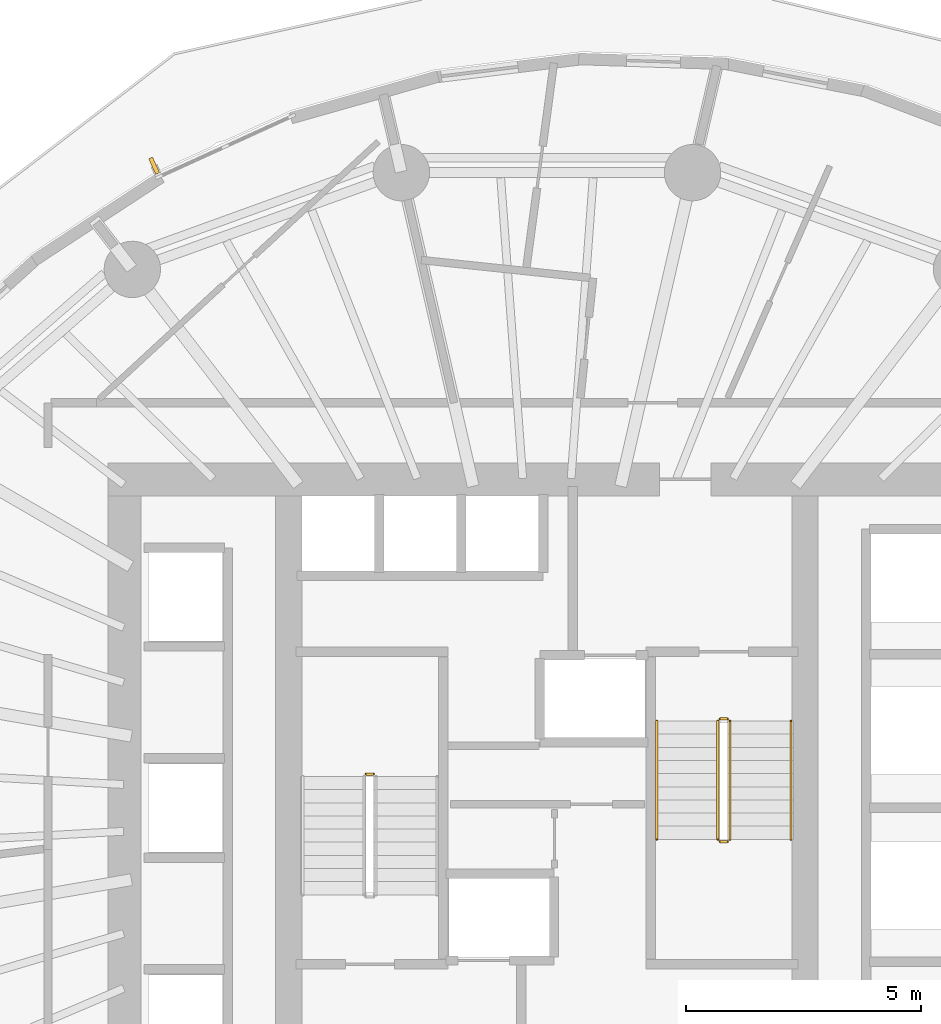
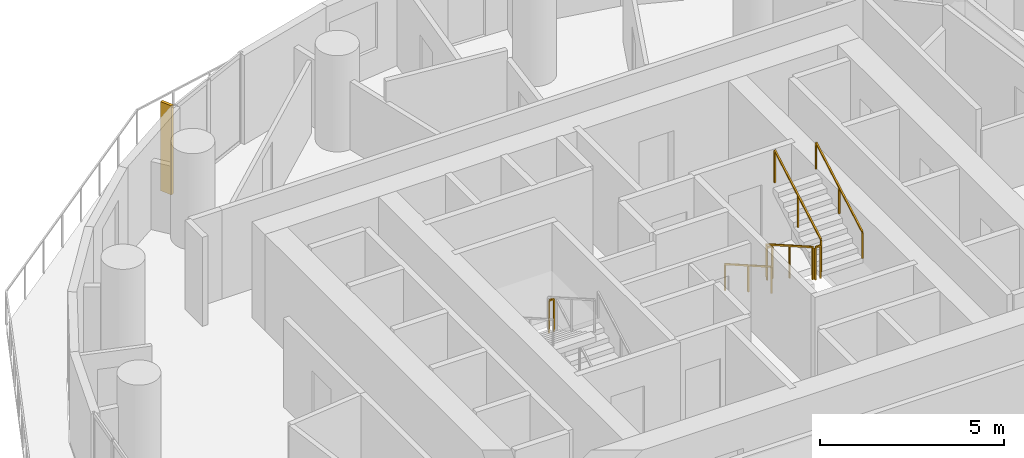
# One storey, part 13 of 14: 7 railings, 1 shading device.
"""IFC4 building model written with IfcOpenShell, lengths in metres."""

from ifc_helpers import new_model, si_unit, direction, frame, origin, origin_2d, place, context, subcontext, project, spatial, rectangle, extrude, material, layer, layer_set, type_object, element, save


model = new_model("IFC4")

# Units and contexts
model_context = context("Model", 3, precision=1e-05, world=origin(), true_north=direction((0.0, 1.0)))
body_context = subcontext(model_context, "Body", "Model", "MODEL_VIEW")
ifc_project = project(units=[si_unit("LENGTHUNIT", "METRE"), si_unit("AREAUNIT", "SQUARE_METRE"), si_unit("VOLUMEUNIT", "CUBIC_METRE"), si_unit("PLANEANGLEUNIT", "RADIAN"), si_unit("MASSUNIT", "GRAM", prefix="KILO")], contexts=[model_context])

# Site, building, storey
site_placement = place(None, origin())
site = spatial("IfcSite", under=ifc_project, at=site_placement, CompositionType="ELEMENT")
building_placement = place(site_placement, origin())
building = spatial("IfcBuilding", under=site, at=building_placement, Name="Veldorim Arch Residences", CompositionType="ELEMENT")
storey_placement = place(building_placement, frame((0.0, 0.0, 83.679931640625)))
storey = spatial("IfcBuildingStorey", under=building, at=storey_placement, Name="L24", CompositionType="ELEMENT", Elevation=83.679931640625)

# Railings
ifc_material_1 = material(Name="Steel S355", Category="steel")
railing_type_1 = type_object("IfcRailingType", Name="Galvanised Steel Stair Safety Guardrail 1100", PredefinedType="GUARDRAIL", material=ifc_material_1)
railing_1_placement = place(storey_placement, frame((28.31005859375, 24.719970703125, 1.60009765625)))
element("IfcRailing", 1, at=railing_1_placement, inside=storey, type_object=railing_type_1, Name="L24 ST-1 stair guard 2", PredefinedType="GUARDRAIL", context=body_context, shape_type="SweptSolid", body=[
    extrude(rectangle(XDim=0.048095703125, YDim=0.048095703125, at=origin_2d()), frame((0.0, 0.0, 1.076171875), z_axis=(-1.0, 0.0, 0.0), x_axis=(0.0, -1.0, 0.0)), (0.0, 0.0, 1.0), 0.16015625),
    extrude(rectangle(XDim=0.0419921875, YDim=0.0419921875, at=origin_2d()), origin(), (0.0, 0.0, 1.0), 1.052001953125),
    extrude(rectangle(XDim=0.0419921875, YDim=0.0419921875, at=origin_2d()), frame((-0.16015625, 0.0, 0.0)), (0.0, 0.0, 1.0), 1.052001953125),
])
railing_2_placement = place(storey_placement, frame((35.639892578125, 25.85009765625, 0.16015625)))
element("IfcRailing", 2, at=railing_2_placement, inside=storey, type_object=railing_type_1, Name="L24 ST-2 stair guard 1", PredefinedType="GUARDRAIL", context=body_context, shape_type="SweptSolid", body=[
    extrude(rectangle(XDim=0.048095703125, YDim=0.048095703125, at=origin_2d()), frame((0.0, 0.0, 1.076171875), z_axis=(0.0, -0.868253494771, 0.496120820787), x_axis=(1.0, 0.0, 0.0)), (0.0, 0.0, 1.0), 2.90234375),
    extrude(rectangle(XDim=0.0419921875, YDim=0.0419921875, at=origin_2d()), origin(), (0.0, 0.0, 1.0), 1.052001953125),
    extrude(rectangle(XDim=0.0419921875, YDim=0.0419921875, at=origin_2d()), frame((0.0, -1.260009765625, 0.719970703125)), (0.0, 0.0, 1.0), 1.052001953125),
    extrude(rectangle(XDim=0.0419921875, YDim=0.0419921875, at=origin_2d()), frame((0.0, -2.52001953125, 1.43994140625)), (0.0, 0.0, 1.0), 1.052001953125),
])
railing_3_placement = place(storey_placement, frame((35.68994140625, 23.280029296875, 1.60009765625)))
element("IfcRailing", 3, at=railing_3_placement, inside=storey, type_object=railing_type_1, Name="L24 ST-2 stair guard 2", PredefinedType="GUARDRAIL", context=body_context, shape_type="SweptSolid", body=[
    extrude(rectangle(XDim=0.048095703125, YDim=0.048095703125, at=origin_2d()), frame((0.0, 0.0, 1.076171875), z_axis=(1.0, 0.0, 0.0), x_axis=(0.0, 1.0, 0.0)), (0.0, 0.0, 1.0), 0.16015625),
    extrude(rectangle(XDim=0.0419921875, YDim=0.0419921875, at=origin_2d()), origin(), (0.0, 0.0, 1.0), 1.052001953125),
    extrude(rectangle(XDim=0.0419921875, YDim=0.0419921875, at=origin_2d()), frame((0.16015625, 0.0, 0.0)), (0.0, 0.0, 1.0), 1.052001953125),
])
railing_4_placement = place(storey_placement, frame((35.89990234375, 23.330078125, 1.760009765625)))
element("IfcRailing", 4, at=railing_4_placement, inside=storey, type_object=railing_type_1, Name="L24 ST-2 stair guard 3", PredefinedType="GUARDRAIL", context=body_context, shape_type="SweptSolid", body=[
    extrude(rectangle(XDim=0.048095703125, YDim=0.048095703125, at=origin_2d()), frame((0.0, 0.0, 1.076171875), z_axis=(0.0, 0.868253494771, 0.496120820787), x_axis=(-1.0, 0.0, 0.0)), (0.0, 0.0, 1.0), 2.90234375),
    extrude(rectangle(XDim=0.0419921875, YDim=0.0419921875, at=origin_2d()), origin(), (0.0, 0.0, 1.0), 1.052001953125),
    extrude(rectangle(XDim=0.0419921875, YDim=0.0419921875, at=origin_2d()), frame((0.0, 1.260009765625, 0.719970703125)), (0.0, 0.0, 1.0), 1.052001953125),
    extrude(rectangle(XDim=0.0419921875, YDim=0.0419921875, at=origin_2d()), frame((0.0, 2.52001953125, 1.43994140625)), (0.0, 0.0, 1.0), 1.052001953125),
])
railing_5_placement = place(storey_placement, frame((35.68994140625, 25.89990234375, 0.0)))
element("IfcRailing", 5, at=railing_5_placement, inside=storey, type_object=railing_type_1, Name="L24 ST-2 stair guard 4", PredefinedType="GUARDRAIL", context=body_context, shape_type="SweptSolid", body=[
    extrude(rectangle(XDim=0.048095703125, YDim=0.048095703125, at=origin_2d()), frame((0.0, 0.0, 1.076171875), z_axis=(1.0, 0.0, 0.0), x_axis=(0.0, 1.0, 0.0)), (0.0, 0.0, 1.0), 0.16015625),
    extrude(rectangle(XDim=0.0419921875, YDim=0.0419921875, at=origin_2d()), origin(), (0.0, 0.0, 1.0), 1.052001953125),
    extrude(rectangle(XDim=0.0419921875, YDim=0.0419921875, at=origin_2d()), frame((0.16015625, 0.0, 0.0)), (0.0, 0.0, 1.0), 1.052001953125),
])
ifc_material_2 = material(Name="Stainless Steel", Category="steel")
railing_type_2 = type_object("IfcRailingType", Name="Tubular Steel Continuous Wall Handrail 900", PredefinedType="HANDRAIL", material=ifc_material_2)
railing_6_placement = place(storey_placement, frame((34.340087890625, 25.85009765625, 0.16015625)))
element("IfcRailing", 6, at=railing_6_placement, inside=storey, type_object=railing_type_2, Name="L24 ST-2 stair handrail 1", PredefinedType="HANDRAIL", context=body_context, shape_type="SweptSolid", body=[
    extrude(rectangle(XDim=0.048095703125, YDim=0.048095703125, at=origin_2d()), frame((0.0, 0.0, 0.8759765625), z_axis=(0.0, -0.868253494771, 0.496120820787), x_axis=(1.0, 0.0, 0.0)), (0.0, 0.0, 1.0), 2.90234375),
    extrude(rectangle(XDim=0.0419921875, YDim=0.0419921875, at=origin_2d()), origin(), (0.0, 0.0, 1.0), 0.851806640625),
    extrude(rectangle(XDim=0.0419921875, YDim=0.0419921875, at=origin_2d()), frame((0.0, -1.260009765625, 0.719970703125)), (0.0, 0.0, 1.0), 0.851806640625),
    extrude(rectangle(XDim=0.0419921875, YDim=0.0419921875, at=origin_2d()), frame((0.0, -2.52001953125, 1.43994140625)), (0.0, 0.0, 1.0), 0.851806640625),
])
railing_7_placement = place(storey_placement, frame((37.199951171875, 23.330078125, 1.760009765625)))
element("IfcRailing", 7, at=railing_7_placement, inside=storey, type_object=railing_type_2, Name="L24 ST-2 stair handrail 2", PredefinedType="HANDRAIL", context=body_context, shape_type="SweptSolid", body=[
    extrude(rectangle(XDim=0.048095703125, YDim=0.048095703125, at=origin_2d()), frame((0.0, 0.0, 0.8759765625), z_axis=(0.0, 0.868253494771, 0.496120820787), x_axis=(-1.0, 0.0, 0.0)), (0.0, 0.0, 1.0), 2.90234375),
    extrude(rectangle(XDim=0.0419921875, YDim=0.0419921875, at=origin_2d()), origin(), (0.0, 0.0, 1.0), 0.851806640625),
    extrude(rectangle(XDim=0.0419921875, YDim=0.0419921875, at=origin_2d()), frame((0.0, 1.260009765625, 0.719970703125)), (0.0, 0.0, 1.0), 0.851806640625),
    extrude(rectangle(XDim=0.0419921875, YDim=0.0419921875, at=origin_2d()), frame((0.0, 2.52001953125, 1.43994140625)), (0.0, 0.0, 1.0), 0.851806640625),
])

# Shading device
ifc_material_3 = material(Name="Terracotta Ceramic", Category="masonry")
ifc_layer = layer(ifc_material_3, 0.090087890625, Name="Vertical Extruded Terracotta Baguette Sun-Shading Fin")
ifc_layer_set = layer_set([ifc_layer], Name="Terracotta Ceramic")
shading_device_type = type_object("IfcShadingDeviceType", Name="Vertical Extruded Terracotta Baguette Sun-Shading Fin", PredefinedType="USERDEFINED", material=ifc_layer_set)
shading_device_placement = place(storey_placement, frame((23.630615234375, 37.683349609375, 0.0), z_axis=(0.0, 0.0, 1.0), x_axis=(0.909961270877, 0.414693242656, 0.0)))
element("IfcShadingDevice", 8, at=shading_device_placement, inside=storey, type_object=shading_device_type, Name="L24 vertical terracotta sun-shading fin 10", ObjectType="FIN", PredefinedType="USERDEFINED", context=body_context, shape_type="SweptSolid", body=[
    extrude(rectangle(XDim=0.090087890625, YDim=0.360107421875, at=origin_2d()), origin(), (0.0, 0.0, 1.0), 2.9599609375),
])

save(model, "model.ifc")
